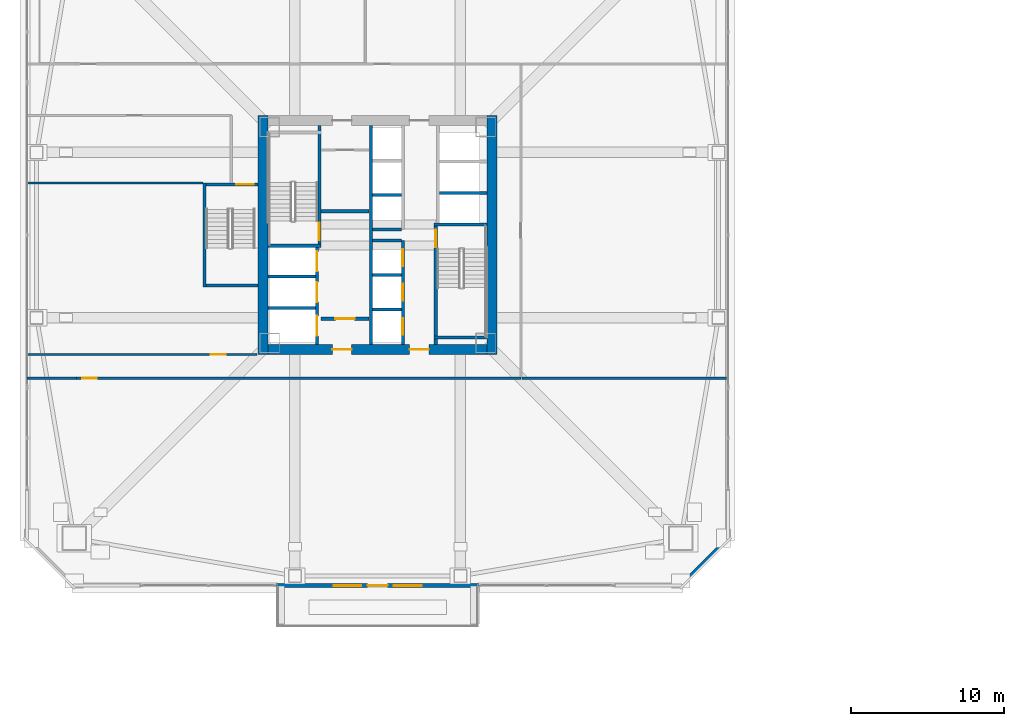
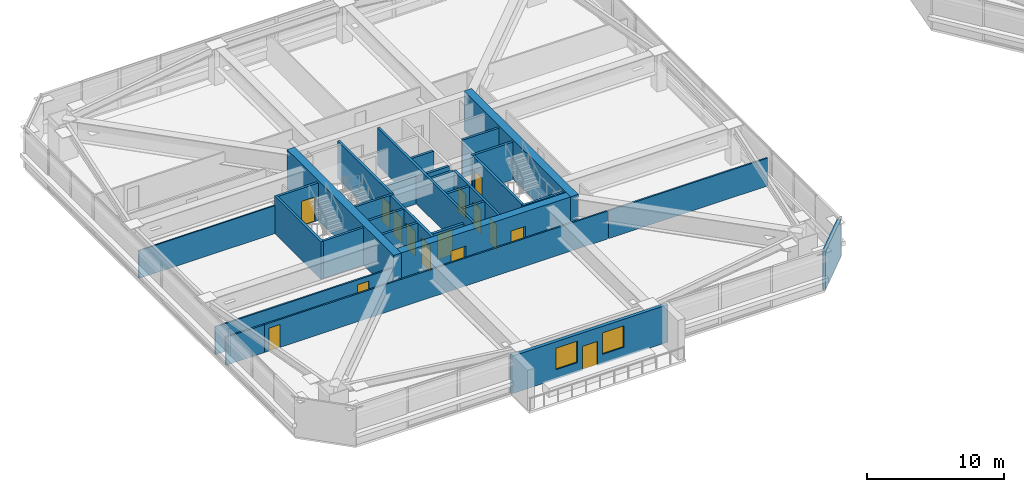
# One storey, part 38 of 48: 31 walls, 15 doors, 2 windows, 17 openings.
"""IFC4 building model written with IfcOpenShell, lengths in metres."""

from ifc_helpers import new_model, si_unit, direction, frame, frame_2d, origin, place, context, subcontext, project, spatial, rectangle, extrude, material, layer, layer_set, type_object, element, fill, save


model = new_model("IFC4")

# Units and contexts
model_context = context("Model", 3, precision=1e-05, world=origin(), true_north=direction((0.0, 1.0)))
body_context = subcontext(model_context, "Body", "Model", "MODEL_VIEW")
ifc_project = project(units=[si_unit("LENGTHUNIT", "METRE"), si_unit("AREAUNIT", "SQUARE_METRE"), si_unit("VOLUMEUNIT", "CUBIC_METRE"), si_unit("PLANEANGLEUNIT", "RADIAN"), si_unit("MASSUNIT", "GRAM", prefix="KILO")], contexts=[model_context])

# Site, building, storey
site_placement = place(None, origin())
site = spatial("IfcSite", under=ifc_project, at=site_placement, CompositionType="ELEMENT")
building_placement = place(site_placement, origin())
building = spatial("IfcBuilding", under=site, at=building_placement, Name="Tashvorn Skyway Center", CompositionType="ELEMENT")
storey_placement = place(building_placement, frame((0.0, 0.0, 63.64990234375)))
storey = spatial("IfcBuildingStorey", under=building, at=storey_placement, Name="L16", CompositionType="ELEMENT", Elevation=63.64990234375)

# Walls
ifc_material_1 = material(Name="Concrete C60/75", Category="concrete")
ifc_layer_1 = layer(ifc_material_1, 0.64990234375)
ifc_layer_set_1 = layer_set([ifc_layer_1], Name="Concrete C60/75")
wall_type_1 = type_object("IfcWallType", Name="WALL-CORE-650", PredefinedType="SHEAR", material=ifc_layer_set_1)
for number, where, z_axis, x_axis, name in (
    (1, (34.52490234375, 24.199951171875, 0.0), (0.0, 0.0, 1.0), (0.0, 1.0, 0.0), "Tower 1 L16 West Core Shear Wall"),
    (2, (49.47509765625, 39.800048828125, 0.0), (0.0, 0.0, 1.0), (0.0, -1.0, 0.0), "Tower 1 L16 East Core Shear Wall"),
):
    element("IfcWall", number, at=place(storey_placement, frame(where, z_axis=z_axis, x_axis=x_axis)), inside=storey, type_object=wall_type_1, Name=name, PredefinedType="SHEAR", context=body_context, shape_type="SweptSolid", body=[
        extrude(rectangle(XDim=15.60009765625, YDim=0.64990234375, at=frame_2d((7.800048828125, 0.0))), origin(), (0.0, 0.0, 1.0), 3.550048828125),
    ])

# Wall, openings, doors
wall_1_placement = place(storey_placement, frame((49.14990234375, 24.52490234375, 0.0), z_axis=(0.0, 0.0, 1.0), x_axis=(-1.0, 0.0, 0.0)))
wall_1 = element("IfcWall", 3, at=wall_1_placement, inside=storey, type_object=wall_type_1, Name="Tower 1 L16 South Core Shear Wall", PredefinedType="SHEAR", context=body_context, shape_type="SweptSolid", body=[
    extrude(rectangle(XDim=14.2998046875, YDim=0.64990234375, at=frame_2d((7.14990234375, 0.0))), origin(), (0.0, 0.0, 1.0), 3.550048828125),
])
opening_1_placement = place(wall_1_placement, frame((8.85009765625, 0.0, 0.0)))
opening_1 = element("IfcOpeningElement", 4, at=opening_1_placement, cuts=wall_1, Name="Opening D-FFL-1250", PredefinedType="OPENING", context=body_context, shape_type="SweptSolid", body=[
    extrude(rectangle(XDim=1.25, YDim=2.25, at=frame_2d((0.625, 1.125))), frame((0.0, 0.3349609375, 0.0), z_axis=(0.0, -1.0, 0.0), x_axis=(1.0, 0.0, 0.0)), (0.0, 0.0, 1.0), 0.669921875),
])
opening_2_placement = place(wall_1_placement, frame((3.800048828125, 0.0, 0.0)))
opening_2 = element("IfcOpeningElement", 5, at=opening_2_placement, cuts=wall_1, Name="Opening D-FFL-1250", PredefinedType="OPENING", context=body_context, shape_type="SweptSolid", body=[
    extrude(rectangle(XDim=1.25, YDim=2.25, at=frame_2d((0.625, 1.125))), frame((0.0, 0.3349609375, 0.0), z_axis=(0.0, -1.0, 0.0), x_axis=(1.0, 0.0, 0.0)), (0.0, 0.0, 1.0), 0.669921875),
])
ifc_material_2 = material(Name="Hollow galvanized steel fire door assembly", Category="steel")
door_type_1 = type_object("IfcDoorType", Name="DOOR-FFL-1250", OperationType="NOTDEFINED", PredefinedType="DOOR", material=ifc_material_2)
door_1_placement = place(opening_1_placement, origin())
door_1 = element("IfcDoor", 6, at=door_1_placement, inside=storey, type_object=door_type_1, Name="Tower 1 L16 Core South Firefighting Exit Door", OperationType="SINGLE_SWING_LEFT", OverallHeight=2.25, OverallWidth=1.25, PredefinedType="DOOR", context=body_context, shape_type="SweptSolid", body=[
    extrude(rectangle(XDim=1.25, YDim=2.25, at=frame_2d((0.625, 1.125))), frame((0.0, 0.02490234375, 0.0), z_axis=(0.0, -1.0, 0.0), x_axis=(1.0, 0.0, 0.0)), (0.0, 0.0, 1.0), 0.050048828125),
])
fill(opening_1, door_1)
door_2_placement = place(opening_2_placement, origin())
door_2 = element("IfcDoor", 7, at=door_2_placement, inside=storey, type_object=door_type_1, Name="Tower 1 L16 Core South Lift Lobby Door", OperationType="SINGLE_SWING_RIGHT", OverallHeight=2.25, OverallWidth=1.25, PredefinedType="DOOR", context=body_context, shape_type="SweptSolid", body=[
    extrude(rectangle(XDim=1.25, YDim=2.25, at=frame_2d((0.625, 1.125))), frame((0.0, 0.02490234375, 0.0), z_axis=(0.0, -1.0, 0.0), x_axis=(1.0, 0.0, 0.0)), (0.0, 0.0, 1.0), 0.050048828125),
])
fill(opening_2, door_2)

# Wall, openings, door, windows
ifc_material_3 = material(Name="Precast concrete C40/50", Category="concrete")
ifc_layer_2 = layer(ifc_material_3, 0.280029296875)
ifc_layer_set_2 = layer_set([ifc_layer_2], Name="Precast concrete C40/50")
wall_type_2 = type_object("IfcWallType", Name="WALL-EXT-280", PredefinedType="SOLIDWALL", material=ifc_layer_set_2)
wall_2_placement = place(storey_placement, frame((48.60009765625, 9.1201171875, 0.0), z_axis=(0.0, 0.0, 1.0), x_axis=(-1.0, 0.0, 0.0)))
wall_2 = element("IfcWall", 8, at=wall_2_placement, inside=storey, type_object=wall_type_2, Name="Tower 1 L16 South Sky Garden Loggia Wall", PredefinedType="SOLIDWALL", context=body_context, shape_type="SweptSolid", body=[
    extrude(rectangle(XDim=13.2001953125, YDim=0.280029296875, at=frame_2d((6.60009765625, 0.0))), origin(), (0.0, 0.0, 1.0), 3.35009765625),
])
opening_3_placement = place(wall_2_placement, frame((5.949951171875, 0.0, 0.0)))
opening_3 = element("IfcOpeningElement", 9, at=opening_3_placement, cuts=wall_2, Name="Opening D-TER-1300", PredefinedType="OPENING", context=body_context, shape_type="SweptSolid", body=[
    extrude(rectangle(XDim=1.300048828125, YDim=2.14990234375, at=frame_2d((0.64990234375, 1.074951171875))), frame((0.0, 0.14990234375, 0.0), z_axis=(0.0, -1.0, 0.0), x_axis=(1.0, 0.0, 0.0)), (0.0, 0.0, 1.0), 0.300048828125),
])
opening_4_placement = place(wall_2_placement, frame((3.73193359375, 0.0, 0.85009765625)))
opening_4 = element("IfcOpeningElement", 10, at=opening_4_placement, cuts=wall_2, Name="Opening WIN-1800", PredefinedType="OPENING", context=body_context, shape_type="SweptSolid", body=[
    extrude(rectangle(XDim=1.800048828125, YDim=1.919921875, at=frame_2d((0.89990234375, 0.9599609375))), frame((0.0, 0.14990234375, 0.0), z_axis=(0.0, -1.0, 0.0), x_axis=(1.0, 0.0, 0.0)), (0.0, 0.0, 1.0), 0.300048828125),
])
opening_5_placement = place(wall_2_placement, frame((7.66796875, 0.0, 0.85009765625)))
opening_5 = element("IfcOpeningElement", 11, at=opening_5_placement, cuts=wall_2, Name="Opening WIN-1800", PredefinedType="OPENING", context=body_context, shape_type="SweptSolid", body=[
    extrude(rectangle(XDim=1.800048828125, YDim=1.919921875, at=frame_2d((0.89990234375, 0.9599609375))), frame((0.0, 0.14990234375, 0.0), z_axis=(0.0, -1.0, 0.0), x_axis=(1.0, 0.0, 0.0)), (0.0, 0.0, 1.0), 0.300048828125),
])
ifc_material_4 = material(Name="Thermally broken bronze-anodized aluminium 6063-T6", Category="aluminium")
door_type_2 = type_object("IfcDoorType", Name="DOOR-TERR-1300", OperationType="NOTDEFINED", PredefinedType="DOOR", material=ifc_material_4)
door_3_placement = place(opening_3_placement, origin())
door_3 = element("IfcDoor", 12, at=door_3_placement, inside=storey, type_object=door_type_2, Name="Tower 1 L16 Sky Garden Access Door", OperationType="SINGLE_SWING_RIGHT", OverallHeight=2.14990234375, OverallWidth=1.300048828125, PredefinedType="DOOR", context=body_context, shape_type="SweptSolid", body=[
    extrude(rectangle(XDim=1.300048828125, YDim=2.14990234375, at=frame_2d((0.64990234375, 1.074951171875))), frame((0.0, 0.02490234375, 0.0), z_axis=(0.0, -1.0, 0.0), x_axis=(1.0, 0.0, 0.0)), (0.0, 0.0, 1.0), 0.050048828125),
])
fill(opening_3, door_3)
ifc_material_5 = material(Name="Low-E solar-control double insulating safety glass", Category="glass")
window_type = type_object("IfcWindowType", Name="WIN-TERR-1800", PartitioningType="SINGLE_PANEL", PredefinedType="WINDOW", material=ifc_material_5)
window_1_placement = place(opening_4_placement, origin())
window_1 = element("IfcWindow", 13, at=window_1_placement, inside=storey, type_object=window_type, Name="Tower 1 L16 Sky Garden Window", OverallHeight=1.919921875, OverallWidth=1.800048828125, PartitioningType="SINGLE_PANEL", PredefinedType="WINDOW", context=body_context, shape_type="SweptSolid", body=[
    extrude(rectangle(XDim=1.800048828125, YDim=1.919921875, at=frame_2d((0.89990234375, 0.9599609375))), frame((0.0, 0.030029296875, 0.0), z_axis=(0.0, -1.0, 0.0), x_axis=(1.0, 0.0, 0.0)), (0.0, 0.0, 1.0), 0.06005859375),
])
fill(opening_4, window_1)
window_2_placement = place(opening_5_placement, origin())
window_2 = element("IfcWindow", 14, at=window_2_placement, inside=storey, type_object=window_type, Name="Tower 1 L16 Sky Garden Second Window", OverallHeight=1.919921875, OverallWidth=1.800048828125, PartitioningType="SINGLE_PANEL", PredefinedType="WINDOW", context=body_context, shape_type="SweptSolid", body=[
    extrude(rectangle(XDim=1.800048828125, YDim=1.919921875, at=frame_2d((0.89990234375, 0.9599609375))), frame((0.0, 0.030029296875, 0.0), z_axis=(0.0, -1.0, 0.0), x_axis=(1.0, 0.0, 0.0)), (0.0, 0.0, 1.0), 0.06005859375),
])
fill(opening_5, window_2)

# Walls
wall_3_placement = place(storey_placement, frame((64.89990234375, 12.199951171875, 0.0), z_axis=(0.0, 0.0, 1.0), x_axis=(-0.707106781187, -0.707106781187, 0.0)))
element("IfcWall", 15, at=wall_3_placement, inside=storey, type_object=wall_type_2, Name="Tower 1 L16 SE Precast Chamfer Wall", PredefinedType="SOLIDWALL", context=body_context, shape_type="SweptSolid", body=[
    extrude(rectangle(XDim=4.3837890625, YDim=0.280029296875, at=frame_2d((2.19189453125, 0.0))), origin(), (0.0, 0.0, 1.0), 3.35009765625),
])
ifc_material_6 = material(Name="Concrete C40/50", Category="concrete")
ifc_layer_3 = layer(ifc_material_6, 0.219970703125)
ifc_layer_set_3 = layer_set([ifc_layer_3], Name="Concrete C40/50")
wall_type_3 = type_object("IfcWallType", Name="WALL-FFL-220", PredefinedType="SOLIDWALL", material=ifc_layer_set_3)
wall_4_placement = place(storey_placement, frame((38.300048828125, 33.56005859375, 0.0), z_axis=(0.0, 0.0, 1.0), x_axis=(1.0, 0.0, 0.0)))
element("IfcWall", 16, at=wall_4_placement, inside=storey, type_object=wall_type_3, Name="Tower 1 L16 Firefighting Lobby North Wall", PredefinedType="SOLIDWALL", context=body_context, shape_type="SweptSolid", body=[
    extrude(rectangle(XDim=3.14990234375, YDim=0.219970703125, at=frame_2d((1.574951171875, 0.0))), origin(), (0.0, 0.0, 1.0), 2.4931640625),
])

# Wall, opening, door
wall_5_placement = place(storey_placement, frame((38.300048828125, 26.5400390625, 0.0), z_axis=(0.0, 0.0, 1.0), x_axis=(1.0, 0.0, 0.0)))
wall_5 = element("IfcWall", 17, at=wall_5_placement, inside=storey, type_object=wall_type_3, Name="Tower 1 L16 Firefighting Lobby South Wall", PredefinedType="SOLIDWALL", context=body_context, shape_type="SweptSolid", body=[
    extrude(rectangle(XDim=3.14990234375, YDim=0.219970703125, at=frame_2d((1.574951171875, 0.0))), origin(), (0.0, 0.0, 1.0), 2.4931640625),
])
opening_6_placement = place(wall_5_placement, frame((0.949951171875, 0.0, 0.0)))
opening_6 = element("IfcOpeningElement", 18, at=opening_6_placement, cuts=wall_5, Name="Opening D-FFL-1250", PredefinedType="OPENING", context=body_context, shape_type="SweptSolid", body=[
    extrude(rectangle(XDim=1.25, YDim=2.25, at=frame_2d((0.625, 1.125))), frame((0.0, 0.119873046875, 0.0), z_axis=(0.0, -1.0, 0.0), x_axis=(1.0, 0.0, 0.0)), (0.0, 0.0, 1.0), 0.239990234375),
])
door_4_placement = place(opening_6_placement, origin())
door_4 = element("IfcDoor", 19, at=door_4_placement, inside=storey, type_object=door_type_1, Name="Tower 1 L16 Firefighting Lobby Egress Door", OperationType="SINGLE_SWING_LEFT", OverallHeight=2.25, OverallWidth=1.25, PredefinedType="DOOR", context=body_context, shape_type="SweptSolid", body=[
    extrude(rectangle(XDim=1.25, YDim=2.25, at=frame_2d((0.625, 1.125))), frame((0.0, 0.02490234375, 0.0), z_axis=(0.0, -1.0, 0.0), x_axis=(1.0, 0.0, 0.0)), (0.0, 0.0, 1.0), 0.050048828125),
])
fill(opening_6, door_4)

# Wall
ifc_material_7 = material(Name="Gypsum board on cold-formed steel stud framing", Category="steel")
ifc_layer_4 = layer(ifc_material_7, 0.110107421875)
ifc_layer_set_4 = layer_set([ifc_layer_4], Name="Gypsum board on cold-formed steel stud framing")
wall_type_4 = type_object("IfcWallType", Name="WALL-PART-110", PredefinedType="PARTITIONING", material=ifc_layer_set_4)
wall_6_placement = place(storey_placement, frame((30.60009765625, 35.39990234375, 0.0), z_axis=(0.0, 0.0, 1.0), x_axis=(-1.0, 0.0, 0.0)))
element("IfcWall", 20, at=wall_6_placement, inside=storey, type_object=wall_type_4, Name="Tower 1 L16 West Suite Partition 1", PredefinedType="PARTITIONING", context=body_context, shape_type="SweptSolid", body=[
    extrude(rectangle(XDim=11.47998046875, YDim=0.110107421875, at=frame_2d((5.739990234375, 0.0))), origin(), (0.0, 0.0, 1.0), 2.4931640625),
])

# Wall, opening, door
ifc_layer_5 = layer(ifc_material_7, 0.135009765625)
ifc_layer_set_5 = layer_set([ifc_layer_5], Name="Gypsum board on cold-formed steel stud framing")
wall_type_5 = type_object("IfcWallType", Name="WALL-PART-135", PredefinedType="PARTITIONING", material=ifc_layer_set_5)
wall_7_placement = place(storey_placement, frame((51.35009765625, 22.64990234375, 0.0), z_axis=(0.0, 0.0, 1.0), x_axis=(-1.0, 0.0, 0.0)))
wall_7 = element("IfcWall", 21, at=wall_7_placement, inside=storey, type_object=wall_type_5, Name="Tower 1 L16 South Suite Wall", PredefinedType="PARTITIONING", context=body_context, shape_type="SweptSolid", body=[
    extrude(rectangle(XDim=29.0, YDim=0.135009765625, at=frame_2d((14.5, 0.0))), origin(), (0.0, 0.0, 1.0), 2.4931640625),
])
opening_7_placement = place(wall_7_placement, frame((27.669921875, 0.0, 0.0)))
opening_7 = element("IfcOpeningElement", 22, at=opening_7_placement, cuts=wall_7, Name="Opening D-INT-950", PredefinedType="OPENING", context=body_context, shape_type="SweptSolid", body=[
    extrude(rectangle(XDim=0.949951171875, YDim=2.050048828125, at=frame_2d((0.47509765625, 1.02490234375))), frame((0.0, 0.077392578125, 0.0), z_axis=(0.0, -1.0, 0.0), x_axis=(1.0, 0.0, 0.0)), (0.0, 0.0, 1.0), 0.155029296875),
])
ifc_material_8 = material(Name="Solid-core architectural oak veneer door")
door_type_3 = type_object("IfcDoorType", Name="DOOR-INT-950", OperationType="NOTDEFINED", PredefinedType="DOOR", material=ifc_material_8)
door_5_placement = place(opening_7_placement, origin())
door_5 = element("IfcDoor", 23, at=door_5_placement, inside=storey, type_object=door_type_3, Name="Tower 1 L16 Gallery Showroom Door", OperationType="SINGLE_SWING_LEFT", OverallHeight=2.050048828125, OverallWidth=0.949951171875, PredefinedType="DOOR", context=body_context, shape_type="SweptSolid", body=[
    extrude(rectangle(XDim=0.949951171875, YDim=2.050048828125, at=frame_2d((0.47509765625, 1.02490234375))), frame((0.0, 0.02490234375, 0.0), z_axis=(0.0, -1.0, 0.0), x_axis=(1.0, 0.0, 0.0)), (0.0, 0.0, 1.0), 0.050048828125),
])
fill(opening_7, door_5)

# Walls
wall_8_placement = place(storey_placement, frame((19.1201171875, 22.64990234375, 0.0), z_axis=(0.0, 0.0, 1.0), x_axis=(1.0, 0.0, 0.0)))
element("IfcWall", 24, at=wall_8_placement, inside=storey, type_object=wall_type_5, Name="Tower 1 L16 South-West Suite North Wall", PredefinedType="PARTITIONING", context=body_context, shape_type="SweptSolid", body=[
    extrude(rectangle(XDim=3.22998046875, YDim=0.135009765625, at=frame_2d((1.614990234375, 0.0))), origin(), (0.0, 0.0, 1.0), 2.4931640625),
])
wall_9_placement = place(storey_placement, frame((51.429931640625, 22.64990234375, 0.0), z_axis=(0.0, 0.0, 1.0), x_axis=(1.0, 0.0, 0.0)))
element("IfcWall", 25, at=wall_9_placement, inside=storey, type_object=wall_type_5, Name="Tower 1 L16 East Suite South Wall", PredefinedType="PARTITIONING", context=body_context, shape_type="SweptSolid", body=[
    extrude(rectangle(XDim=13.449951171875, YDim=0.135009765625, at=frame_2d((6.72509765625, 0.0))), origin(), (0.0, 0.0, 1.0), 2.4931640625),
])

# Wall, opening, door
wall_10_placement = place(storey_placement, frame((19.1201171875, 24.199951171875, 0.0), z_axis=(0.0, 0.0, 1.0), x_axis=(1.0, 0.0, 0.0)))
wall_10 = element("IfcWall", 26, at=wall_10_placement, inside=storey, type_object=wall_type_5, Name="Tower 1 L16 West Suite South Wall", PredefinedType="PARTITIONING", context=body_context, shape_type="SweptSolid", body=[
    extrude(rectangle(XDim=15.0, YDim=0.135009765625, at=frame_2d((7.5, 0.0))), origin(), (0.0, 0.0, 1.0), 2.4931640625),
])
opening_8_placement = place(wall_10_placement, frame((12.0048828125, 0.0, 0.0)))
opening_8 = element("IfcOpeningElement", 27, at=opening_8_placement, cuts=wall_10, Name="Opening D-INT-950", PredefinedType="OPENING", context=body_context, shape_type="SweptSolid", body=[
    extrude(rectangle(XDim=0.949951171875, YDim=2.050048828125, at=frame_2d((0.47509765625, 1.02490234375))), frame((0.0, 0.077392578125, 0.0), z_axis=(0.0, -1.0, 0.0), x_axis=(1.0, 0.0, 0.0)), (0.0, 0.0, 1.0), 0.155029296875),
])
door_6_placement = place(opening_8_placement, origin())
door_6 = element("IfcDoor", 28, at=door_6_placement, inside=storey, type_object=door_type_3, Name="Tower 1 L16 Public Restroom Door", OperationType="SINGLE_SWING_RIGHT", OverallHeight=2.050048828125, OverallWidth=0.949951171875, PredefinedType="DOOR", context=body_context, shape_type="SweptSolid", body=[
    extrude(rectangle(XDim=0.949951171875, YDim=2.050048828125, at=frame_2d((0.47509765625, 1.02490234375))), frame((0.0, 0.02490234375, 0.0), z_axis=(0.0, -1.0, 0.0), x_axis=(1.0, 0.0, 0.0)), (0.0, 0.0, 1.0), 0.050048828125),
])
fill(opening_8, door_6)

# Walls
ifc_layer_6 = layer(ifc_material_6, 0.199951171875)
ifc_layer_set_6 = layer_set([ifc_layer_6], Name="Concrete C40/50")
wall_type_6 = type_object("IfcWallType", Name="WALL-SHAFT-200", PredefinedType="SOLIDWALL", material=ifc_layer_set_6)
for number, where, z_axis, x_axis, name in (
    (29, (34.85009765625, 27.25, 0.0), (0.0, 0.0, 1.0), (1.0, 0.0, 0.0), "Tower 1 L16 FSAE Shaft Divider"),
    (30, (34.85009765625, 29.280029296875, 0.0), (0.0, 0.0, 1.0), (1.0, 0.0, 0.0), "Tower 1 L16 FSAE Shaft Divider"),
    (31, (46.050048828125, 34.75, 0.0), (0.0, 0.0, 1.0), (1.0, 0.0, 0.0), "Tower 1 L16 High-Rise Shaft Divider"),
):
    element("IfcWall", number, at=place(storey_placement, frame(where, z_axis=z_axis, x_axis=x_axis)), inside=storey, type_object=wall_type_6, Name=name, PredefinedType="SOLIDWALL", context=body_context, shape_type="SweptSolid", body=[
        extrude(rectangle(XDim=3.099853515625, YDim=0.199951171875, at=frame_2d((1.5498046875, 0.0))), origin(), (0.0, 0.0, 1.0), 3.35009765625),
    ])

# Wall, openings, doors
wall_11_placement = place(storey_placement, frame((43.64990234375, 24.85009765625, 0.0), z_axis=(0.0, 0.0, 1.0), x_axis=(0.0, 1.0, 0.0)))
wall_11 = element("IfcWall", 32, at=wall_11_placement, inside=storey, type_object=wall_type_6, Name="Tower 1 L16 Low-Rise Core Wall", PredefinedType="SOLIDWALL", context=body_context, shape_type="SweptSolid", body=[
    extrude(rectangle(XDim=6.7998046875, YDim=0.199951171875, at=frame_2d((3.39990234375, 0.0))), origin(), (0.0, 0.0, 1.0), 3.35009765625),
])
opening_9_placement = place(wall_11_placement, frame((0.625, 0.0, 0.0)))
opening_9 = element("IfcOpeningElement", 33, at=opening_9_placement, cuts=wall_11, Name="Opening LD-LR-T1-1-L16", PredefinedType="OPENING", context=body_context, shape_type="SweptSolid", body=[
    extrude(rectangle(XDim=1.10009765625, YDim=2.199951171875, at=frame_2d((0.550048828125, 1.10009765625))), frame((0.0, 0.10986328125, 0.0), z_axis=(0.0, -1.0, 0.0), x_axis=(1.0, 0.0, 0.0)), (0.0, 0.0, 1.0), 0.219970703125),
])
opening_10_placement = place(wall_11_placement, frame((2.875, 0.0, 0.0)))
opening_10 = element("IfcOpeningElement", 34, at=opening_10_placement, cuts=wall_11, Name="Opening LD-LR-T1-2-L16", PredefinedType="OPENING", context=body_context, shape_type="SweptSolid", body=[
    extrude(rectangle(XDim=1.10009765625, YDim=2.199951171875, at=frame_2d((0.550048828125, 1.10009765625))), frame((0.0, 0.10986328125, 0.0), z_axis=(0.0, -1.0, 0.0), x_axis=(1.0, 0.0, 0.0)), (0.0, 0.0, 1.0), 0.219970703125),
])
opening_11_placement = place(wall_11_placement, frame((5.125, 0.0, 0.0)))
opening_11 = element("IfcOpeningElement", 35, at=opening_11_placement, cuts=wall_11, Name="Opening LD-LR-T1-3-L16", PredefinedType="OPENING", context=body_context, shape_type="SweptSolid", body=[
    extrude(rectangle(XDim=1.10009765625, YDim=2.199951171875, at=frame_2d((0.550048828125, 1.10009765625))), frame((0.0, 0.10986328125, 0.0), z_axis=(0.0, -1.0, 0.0), x_axis=(1.0, 0.0, 0.0)), (0.0, 0.0, 1.0), 0.219970703125),
])
ifc_material_9 = material(Name="Stainless steel landing door", Category="steel")
door_type_4 = type_object("IfcDoorType", Name="DOOR-LIFT-1100", OperationType="SLIDING_TO_LEFT", PredefinedType="DOOR", material=ifc_material_9)
door_7_placement = place(opening_9_placement, origin())
door_7 = element("IfcDoor", 36, at=door_7_placement, inside=storey, type_object=door_type_4, Name="Lift LR-T1-1 L16 Landing Door", OperationType="SLIDING_TO_LEFT", OverallHeight=2.199951171875, OverallWidth=1.10009765625, PredefinedType="DOOR", context=body_context, shape_type="SweptSolid", body=[
    extrude(rectangle(XDim=1.10009765625, YDim=2.199951171875, at=frame_2d((0.550048828125, 1.10009765625))), frame((0.0, 0.02490234375, 0.0), z_axis=(0.0, -1.0, 0.0), x_axis=(1.0, 0.0, 0.0)), (0.0, 0.0, 1.0), 0.050048828125),
])
fill(opening_9, door_7)
door_8_placement = place(opening_10_placement, origin())
door_8 = element("IfcDoor", 37, at=door_8_placement, inside=storey, type_object=door_type_4, Name="Lift LR-T1-2 L16 Landing Door", OperationType="SLIDING_TO_LEFT", OverallHeight=2.199951171875, OverallWidth=1.10009765625, PredefinedType="DOOR", context=body_context, shape_type="SweptSolid", body=[
    extrude(rectangle(XDim=1.10009765625, YDim=2.199951171875, at=frame_2d((0.550048828125, 1.10009765625))), frame((0.0, 0.02490234375, 0.0), z_axis=(0.0, -1.0, 0.0), x_axis=(1.0, 0.0, 0.0)), (0.0, 0.0, 1.0), 0.050048828125),
])
fill(opening_10, door_8)
door_9_placement = place(opening_11_placement, origin())
door_9 = element("IfcDoor", 38, at=door_9_placement, inside=storey, type_object=door_type_4, Name="Lift LR-T1-3 L16 Landing Door", OperationType="SLIDING_TO_LEFT", OverallHeight=2.199951171875, OverallWidth=1.10009765625, PredefinedType="DOOR", context=body_context, shape_type="SweptSolid", body=[
    extrude(rectangle(XDim=1.10009765625, YDim=2.199951171875, at=frame_2d((0.550048828125, 1.10009765625))), frame((0.0, 0.02490234375, 0.0), z_axis=(0.0, -1.0, 0.0), x_axis=(1.0, 0.0, 0.0)), (0.0, 0.0, 1.0), 0.050048828125),
])
fill(opening_11, door_9)

# Walls
for number, where, z_axis, x_axis, name in (
    (39, (41.669921875, 27.14990234375, 0.0), (0.0, 0.0, 1.0), (1.0, 0.0, 0.0), "Tower 1 L16 Low-Rise Shaft Divider"),
    (40, (41.669921875, 29.39990234375, 0.0), (0.0, 0.0, 1.0), (1.0, 0.0, 0.0), "Tower 1 L16 Low-Rise Shaft Divider"),
    (41, (41.669921875, 31.64990234375, 0.0), (0.0, 0.0, 1.0), (1.0, 0.0, 0.0), "Tower 1 L16 Low-Rise Shaft Divider"),
    (42, (41.669921875, 32.35009765625, 0.0), (0.0, 0.0, 1.0), (1.0, 0.0, 0.0), "Tower 1 L16 Mid-Rise Shaft Divider"),
    (43, (41.669921875, 34.60009765625, 0.0), (0.0, 0.0, 1.0), (1.0, 0.0, 0.0), "Tower 1 L16 Mid-Rise Shaft Divider"),
):
    element("IfcWall", number, at=place(storey_placement, frame(where, z_axis=z_axis, x_axis=x_axis)), inside=storey, type_object=wall_type_6, Name=name, PredefinedType="SOLIDWALL", context=body_context, shape_type="SweptSolid", body=[
        extrude(rectangle(XDim=1.880126953125, YDim=0.199951171875, at=frame_2d((0.93994140625, 0.0))), origin(), (0.0, 0.0, 1.0), 3.35009765625),
    ])

# Wall, opening, door
ifc_layer_7 = layer(ifc_material_6, 0.199951171875)
ifc_layer_set_7 = layer_set([ifc_layer_7], Name="Concrete C40/50")
wall_type_7 = type_object("IfcWallType", Name="WALL-STSHF-200", PredefinedType="SHEAR", material=ifc_layer_set_7)
wall_12_placement = place(storey_placement, frame((38.199951171875, 31.199951171875, 0.0), z_axis=(0.0, 0.0, 1.0), x_axis=(0.0, 1.0, 0.0)))
wall_12 = element("IfcWall", 44, at=wall_12_placement, inside=storey, type_object=wall_type_7, Name="Tower 1 L16 Stair 1 Enclosure Wall", PredefinedType="SHEAR", context=body_context, shape_type="SweptSolid", body=[
    extrude(rectangle(XDim=7.949951171875, YDim=0.199951171875, at=frame_2d((3.97509765625, 0.0))), origin(), (0.0, 0.0, 1.0), 3.35009765625),
])
opening_12_placement = place(wall_12_placement, frame((0.449951171875, 0.0, 0.0)))
opening_12 = element("IfcOpeningElement", 45, at=opening_12_placement, cuts=wall_12, Name="Opening D-ST-1150", PredefinedType="OPENING", context=body_context, shape_type="SweptSolid", body=[
    extrude(rectangle(XDim=1.14990234375, YDim=2.199951171875, at=frame_2d((0.574951171875, 1.10009765625))), frame((0.0, 0.10986328125, 0.0), z_axis=(0.0, -1.0, 0.0), x_axis=(1.0, 0.0, 0.0)), (0.0, 0.0, 1.0), 0.219970703125),
])
door_type_5 = type_object("IfcDoorType", Name="DOOR-STAIR-1150", OperationType="NOTDEFINED", PredefinedType="DOOR", material=ifc_material_2)
door_10_placement = place(opening_12_placement, origin())
door_10 = element("IfcDoor", 46, at=door_10_placement, inside=storey, type_object=door_type_5, Name="Tower 1 L16 Exit Stair 1 Door", OperationType="SINGLE_SWING_RIGHT", OverallHeight=2.199951171875, OverallWidth=1.14990234375, PredefinedType="DOOR", context=body_context, shape_type="SweptSolid", body=[
    extrude(rectangle(XDim=1.14990234375, YDim=2.199951171875, at=frame_2d((0.574951171875, 1.10009765625))), frame((0.0, 0.02490234375, 0.0), z_axis=(0.0, -1.0, 0.0), x_axis=(1.0, 0.0, 0.0)), (0.0, 0.0, 1.0), 0.050048828125),
])
fill(opening_12, door_10)

# Wall
wall_13_placement = place(storey_placement, frame((34.85009765625, 31.300048828125, 0.0), z_axis=(0.0, 0.0, 1.0), x_axis=(1.0, 0.0, 0.0)))
element("IfcWall", 47, at=wall_13_placement, inside=storey, type_object=wall_type_7, Name="Tower 1 L16 Stair 1 South Wall", PredefinedType="SHEAR", context=body_context, shape_type="SweptSolid", body=[
    extrude(rectangle(XDim=3.449951171875, YDim=0.199951171875, at=frame_2d((1.72509765625, 0.0))), origin(), (0.0, 0.0, 1.0), 3.35009765625),
])

# Wall, opening, door
wall_14_placement = place(storey_placement, frame((45.800048828125, 32.800048828125, 0.0), z_axis=(0.0, 0.0, 1.0), x_axis=(0.0, -1.0, 0.0)))
wall_14 = element("IfcWall", 48, at=wall_14_placement, inside=storey, type_object=wall_type_7, Name="Tower 1 L16 Stair 2 Enclosure Wall", PredefinedType="SHEAR", context=body_context, shape_type="SweptSolid", body=[
    extrude(rectangle(XDim=7.949951171875, YDim=0.199951171875, at=frame_2d((3.97509765625, 0.0))), origin(), (0.0, 0.0, 1.0), 3.35009765625),
])
opening_13_placement = place(wall_14_placement, frame((0.449951171875, 0.0, 0.0)))
opening_13 = element("IfcOpeningElement", 49, at=opening_13_placement, cuts=wall_14, Name="Opening D-ST-1150", PredefinedType="OPENING", context=body_context, shape_type="SweptSolid", body=[
    extrude(rectangle(XDim=1.14990234375, YDim=2.199951171875, at=frame_2d((0.574951171875, 1.10009765625))), frame((0.0, 0.10986328125, 0.0), z_axis=(0.0, -1.0, 0.0), x_axis=(1.0, 0.0, 0.0)), (0.0, 0.0, 1.0), 0.219970703125),
])
door_11_placement = place(opening_13_placement, origin())
door_11 = element("IfcDoor", 50, at=door_11_placement, inside=storey, type_object=door_type_5, Name="Tower 1 L16 Exit Stair 2 Door", OperationType="SINGLE_SWING_RIGHT", OverallHeight=2.199951171875, OverallWidth=1.14990234375, PredefinedType="DOOR", context=body_context, shape_type="SweptSolid", body=[
    extrude(rectangle(XDim=1.14990234375, YDim=2.199951171875, at=frame_2d((0.574951171875, 1.10009765625))), frame((0.0, 0.02490234375, 0.0), z_axis=(0.0, -1.0, 0.0), x_axis=(1.0, 0.0, 0.0)), (0.0, 0.0, 1.0), 0.050048828125),
])
fill(opening_13, door_11)

# Walls
for number, where, z_axis, x_axis, name in (
    (51, (45.699951171875, 32.699951171875, 0.0), (0.0, 0.0, 1.0), (1.0, 0.0, 0.0), "Tower 1 L16 Stair 2 North Wall"),
    (52, (45.699951171875, 25.300048828125, 0.0), (0.0, 0.0, 1.0), (1.0, 0.0, 0.0), "Tower 1 L16 Stair 2 South Wall"),
):
    element("IfcWall", number, at=place(storey_placement, frame(where, z_axis=z_axis, x_axis=x_axis)), inside=storey, type_object=wall_type_7, Name=name, PredefinedType="SHEAR", context=body_context, shape_type="SweptSolid", body=[
        extrude(rectangle(XDim=3.449951171875, YDim=0.199951171875, at=frame_2d((1.72509765625, 0.0))), origin(), (0.0, 0.0, 1.0), 3.35009765625),
    ])
wall_15_placement = place(storey_placement, frame((41.56005859375, 24.85009765625, 0.0), z_axis=(0.0, 0.0, 1.0), x_axis=(0.0, 1.0, 0.0)))
element("IfcWall", 53, at=wall_15_placement, inside=storey, type_object=wall_type_7, Name="Tower 1 L16 Firefighting Lobby East Smoke Barrier", PredefinedType="SHEAR", context=body_context, shape_type="SweptSolid", body=[
    extrude(rectangle(XDim=14.2998046875, YDim=0.199951171875, at=frame_2d((7.14990234375, 0.0))), origin(), (0.0, 0.0, 1.0), 3.35009765625),
])

# Wall, openings, doors
wall_16_placement = place(storey_placement, frame((38.050048828125, 24.85009765625, 0.0), z_axis=(0.0, 0.0, 1.0), x_axis=(0.0, 1.0, 0.0)))
wall_16 = element("IfcWall", 54, at=wall_16_placement, inside=storey, type_object=wall_type_7, Name="Tower 1 L16 FSAE and Goods Shaft Front Wall", PredefinedType="SHEAR", context=body_context, shape_type="SweptSolid", body=[
    extrude(rectangle(XDim=6.349853515625, YDim=0.199951171875, at=frame_2d((3.1748046875, 0.0))), origin(), (0.0, 0.0, 1.0), 3.35009765625),
])
opening_14_placement = place(wall_16_placement, frame((4.77490234375, 0.0, 0.0)))
opening_14 = element("IfcOpeningElement", 55, at=opening_14_placement, cuts=wall_16, Name="Opening LD-FF-T1-1-L16", PredefinedType="OPENING", context=body_context, shape_type="SweptSolid", body=[
    extrude(rectangle(XDim=1.300048828125, YDim=2.25, at=frame_2d((0.64990234375, 1.125))), frame((0.0, 0.10986328125, 0.0), z_axis=(0.0, -1.0, 0.0), x_axis=(1.0, 0.0, 0.0)), (0.0, 0.0, 1.0), 0.219970703125),
])
opening_15_placement = place(wall_16_placement, frame((2.77490234375, 0.0, 0.0)))
opening_15 = element("IfcOpeningElement", 56, at=opening_15_placement, cuts=wall_16, Name="Opening LD-FF-T1-2-L16", PredefinedType="OPENING", context=body_context, shape_type="SweptSolid", body=[
    extrude(rectangle(XDim=1.300048828125, YDim=2.25, at=frame_2d((0.64990234375, 1.125))), frame((0.0, 0.10986328125, 0.0), z_axis=(0.0, -1.0, 0.0), x_axis=(1.0, 0.0, 0.0)), (0.0, 0.0, 1.0), 0.219970703125),
])
opening_16_placement = place(wall_16_placement, frame((0.574951171875, 0.0, 0.0)))
opening_16 = element("IfcOpeningElement", 57, at=opening_16_placement, cuts=wall_16, Name="Opening LD-GD-T1-1-L16", PredefinedType="OPENING", context=body_context, shape_type="SweptSolid", body=[
    extrude(rectangle(XDim=1.300048828125, YDim=2.25, at=frame_2d((0.64990234375, 1.125))), frame((0.0, 0.10986328125, 0.0), z_axis=(0.0, -1.0, 0.0), x_axis=(1.0, 0.0, 0.0)), (0.0, 0.0, 1.0), 0.219970703125),
])
ifc_material_10 = material(Name="Stainless steel heavy-duty landing door", Category="steel")
door_type_6 = type_object("IfcDoorType", Name="DOOR-LIFT-1300", OperationType="SLIDING_TO_LEFT", PredefinedType="DOOR", material=ifc_material_10)
door_12_placement = place(opening_14_placement, origin())
door_12 = element("IfcDoor", 58, at=door_12_placement, inside=storey, type_object=door_type_6, Name="Lift FF-T1-1 L16 Landing Door", OperationType="SLIDING_TO_LEFT", OverallHeight=2.25, OverallWidth=1.300048828125, PredefinedType="DOOR", context=body_context, shape_type="SweptSolid", body=[
    extrude(rectangle(XDim=1.300048828125, YDim=2.25, at=frame_2d((0.64990234375, 1.125))), frame((0.0, 0.02490234375, 0.0), z_axis=(0.0, -1.0, 0.0), x_axis=(1.0, 0.0, 0.0)), (0.0, 0.0, 1.0), 0.050048828125),
])
fill(opening_14, door_12)
door_13_placement = place(opening_15_placement, origin())
door_13 = element("IfcDoor", 59, at=door_13_placement, inside=storey, type_object=door_type_6, Name="Lift FF-T1-2 L16 Landing Door", OperationType="SLIDING_TO_LEFT", OverallHeight=2.25, OverallWidth=1.300048828125, PredefinedType="DOOR", context=body_context, shape_type="SweptSolid", body=[
    extrude(rectangle(XDim=1.300048828125, YDim=2.25, at=frame_2d((0.64990234375, 1.125))), frame((0.0, 0.02490234375, 0.0), z_axis=(0.0, -1.0, 0.0), x_axis=(1.0, 0.0, 0.0)), (0.0, 0.0, 1.0), 0.050048828125),
])
fill(opening_15, door_13)
door_14_placement = place(opening_16_placement, origin())
door_14 = element("IfcDoor", 60, at=door_14_placement, inside=storey, type_object=door_type_6, Name="Lift GD-T1-1 L16 Landing Door", OperationType="SLIDING_TO_LEFT", OverallHeight=2.25, OverallWidth=1.300048828125, PredefinedType="DOOR", context=body_context, shape_type="SweptSolid", body=[
    extrude(rectangle(XDim=1.300048828125, YDim=2.25, at=frame_2d((0.64990234375, 1.125))), frame((0.0, 0.02490234375, 0.0), z_axis=(0.0, -1.0, 0.0), x_axis=(1.0, 0.0, 0.0)), (0.0, 0.0, 1.0), 0.050048828125),
])
fill(opening_16, door_14)

# Wall
wall_17_placement = place(storey_placement, frame((30.699951171875, 28.60009765625, 0.0), z_axis=(0.0, 0.0, 1.0), x_axis=(0.0, 1.0, 0.0)))
element("IfcWall", 61, at=wall_17_placement, inside=storey, type_object=wall_type_7, Name="Tower 1 L16 Stair 3 Outer Wall", PredefinedType="SHEAR", context=body_context, shape_type="SweptSolid", body=[
    extrude(rectangle(XDim=6.7998046875, YDim=0.199951171875, at=frame_2d((3.39990234375, 0.0))), origin(), (0.0, 0.0, 1.0), 3.35009765625),
])

# Wall, opening, door
wall_18_placement = place(storey_placement, frame((34.199951171875, 35.300048828125, 0.0), z_axis=(0.0, 0.0, 1.0), x_axis=(-1.0, 0.0, 0.0)))
wall_18 = element("IfcWall", 62, at=wall_18_placement, inside=storey, type_object=wall_type_7, Name="Tower 1 L16 Stair 3 Enclosure Wall", PredefinedType="SHEAR", context=body_context, shape_type="SweptSolid", body=[
    extrude(rectangle(XDim=3.39990234375, YDim=0.199951171875, at=frame_2d((1.699951171875, 0.0))), origin(), (0.0, 0.0, 1.0), 3.35009765625),
])
opening_17_placement = place(wall_18_placement, frame((0.27490234375, 0.0, 0.0)))
opening_17 = element("IfcOpeningElement", 63, at=opening_17_placement, cuts=wall_18, Name="Opening D-ST-1150", PredefinedType="OPENING", context=body_context, shape_type="SweptSolid", body=[
    extrude(rectangle(XDim=1.14990234375, YDim=2.199951171875, at=frame_2d((0.574951171875, 1.10009765625))), frame((0.0, 0.10986328125, 0.0), z_axis=(0.0, -1.0, 0.0), x_axis=(1.0, 0.0, 0.0)), (0.0, 0.0, 1.0), 0.219970703125),
])
door_15_placement = place(opening_17_placement, origin())
door_15 = element("IfcDoor", 64, at=door_15_placement, inside=storey, type_object=door_type_5, Name="Tower 1 L16 Exit Stair 3 Door", OperationType="SINGLE_SWING_RIGHT", OverallHeight=2.199951171875, OverallWidth=1.14990234375, PredefinedType="DOOR", context=body_context, shape_type="SweptSolid", body=[
    extrude(rectangle(XDim=1.14990234375, YDim=2.199951171875, at=frame_2d((0.574951171875, 1.10009765625))), frame((0.0, 0.02490234375, 0.0), z_axis=(0.0, -1.0, 0.0), x_axis=(1.0, 0.0, 0.0)), (0.0, 0.0, 1.0), 0.050048828125),
])
fill(opening_17, door_15)

# Wall
wall_19_placement = place(storey_placement, frame((30.800048828125, 28.699951171875, 0.0), z_axis=(0.0, 0.0, 1.0), x_axis=(1.0, 0.0, 0.0)))
element("IfcWall", 65, at=wall_19_placement, inside=storey, type_object=wall_type_7, Name="Tower 1 L16 Stair 3 South Wall", PredefinedType="SHEAR", context=body_context, shape_type="SweptSolid", body=[
    extrude(rectangle(XDim=3.39990234375, YDim=0.199951171875, at=frame_2d((1.699951171875, 0.0))), origin(), (0.0, 0.0, 1.0), 3.35009765625),
])

save(model, "model.ifc")
